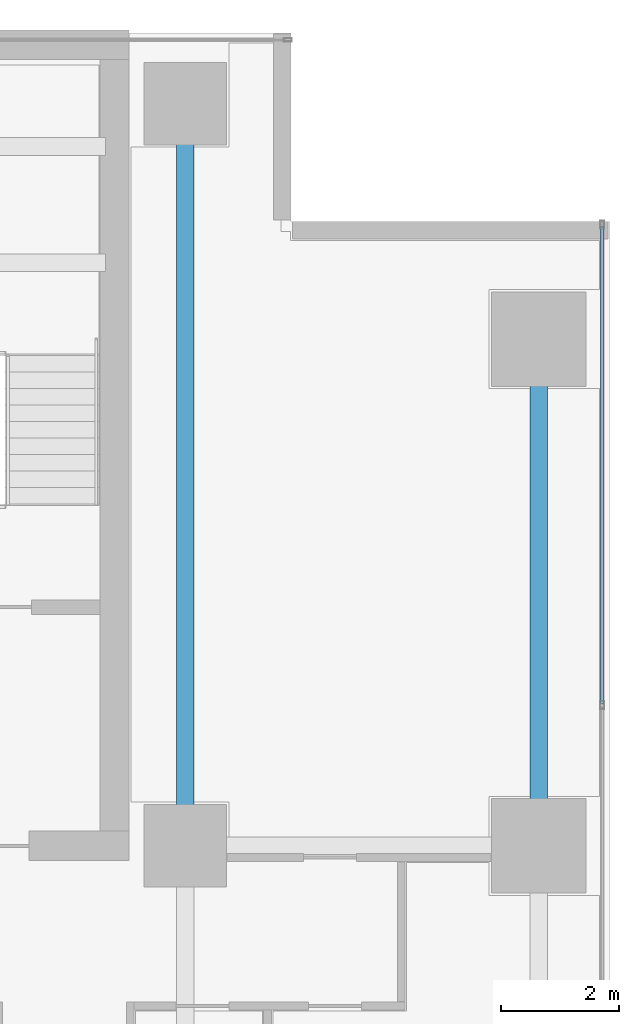
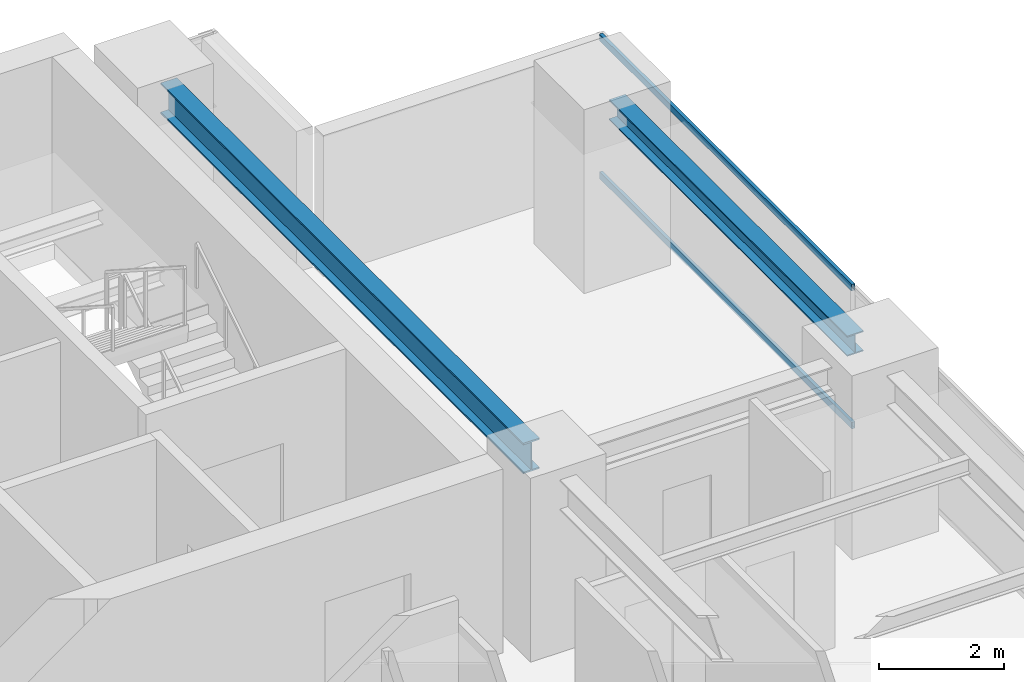
# One storey, part 18 of 30: 2 beams, 2 members, 1 element without a shape of its own.
"""IFC4 building model written with IfcOpenShell, lengths in metres."""

from ifc_helpers import new_model, si_unit, direction, frame, origin, origin_2d, place, context, subcontext, project, spatial, hollow_rectangle, i_section, extrude, source, transform, mapped, material, layer, layer_set, material_profile, profile_set, type_object, element, aggregate, save


model = new_model("IFC4")

# Units and contexts
model_context = context("Model", 3, precision=1e-05, world=origin(), true_north=direction((0.0, 1.0)))
body_context = subcontext(model_context, "Body", "Model", "MODEL_VIEW")
ifc_project = project(units=[si_unit("LENGTHUNIT", "METRE"), si_unit("AREAUNIT", "SQUARE_METRE"), si_unit("VOLUMEUNIT", "CUBIC_METRE"), si_unit("PLANEANGLEUNIT", "RADIAN"), si_unit("MASSUNIT", "GRAM", prefix="KILO")], contexts=[model_context])

# Site, building, storey
site_placement = place(None, origin())
site = spatial("IfcSite", under=ifc_project, at=site_placement, CompositionType="ELEMENT")
building_placement = place(site_placement, origin())
building = spatial("IfcBuilding", under=site, at=building_placement, Name="Sumidabori Civic Tower", CompositionType="ELEMENT")
storey_placement = place(building_placement, frame((0.0, 0.0, 196.39990234375)))
storey = spatial("IfcBuildingStorey", under=building, at=storey_placement, Name="L50", CompositionType="ELEMENT", Elevation=196.39990234375)

# Beams
ifc_material_1 = material(Name="Steel SN490", Category="steel")
ifc_material_profile_1 = material_profile(ifc_material_1, i_section(OverallWidth=0.300048828125, OverallDepth=0.39990234375, WebThickness=0.013427734375, FlangeThickness=0.02392578125, at=origin_2d()), Name="HE 400 B")
ifc_profile_set_1 = profile_set([ifc_material_profile_1], Name="Steel SN490")
beam_type_1 = type_object("IfcBeamType", Name="BM-GIRD-400", PredefinedType="BEAM", material=ifc_profile_set_1)
shared_shape_1 = source(origin(), body_context, "Body", "SweptSolid", [
    extrude(i_section(OverallWidth=0.300048828125, OverallDepth=0.39990234375, WebThickness=0.013427734375, FlangeThickness=0.02392578125, at=origin_2d()), origin(), (0.0, 0.0, 1.0), 7.64013671875),
])
beam_1_placement = place(storey_placement, frame((22.800048828125, 10.679931640625, 3.18017578125), z_axis=(0.0, 1.0, 0.0), x_axis=(-1.0, 0.0, 0.0)))
element("IfcBeam", 1, at=beam_1_placement, inside=storey, type_object=beam_type_1, Name="Primary Girder L50 GY-24", PredefinedType="BEAM", context=body_context, shape_type="MappedRepresentation", body=[
    mapped(shared_shape_1, transform((0.0, 0.0, 0.0), x_axis=(1.0, 0.0, 0.0), y_axis=(0.0, 1.0, 0.0), z_axis=(0.0, 0.0, 1.0), scale=1.0)),
])
ifc_material_profile_2 = material_profile(ifc_material_1, i_section(OverallWidth=0.300048828125, OverallDepth=0.60009765625, WebThickness=0.015380859375, FlangeThickness=0.030029296875, at=origin_2d()), Name="HE 600 B")
ifc_profile_set_2 = profile_set([ifc_material_profile_2], Name="Steel SN490")
beam_type_2 = type_object("IfcBeamType", Name="BM-GIRD-600", PredefinedType="BEAM", material=ifc_profile_set_2)
shared_shape_2 = source(origin(), body_context, "Body", "SweptSolid", [
    extrude(i_section(OverallWidth=0.300048828125, OverallDepth=0.60009765625, WebThickness=0.015380859375, FlangeThickness=0.030029296875, at=origin_2d()), origin(), (0.0, 0.0, 1.0), 11.64013671875),
])
beam_2_placement = place(storey_placement, frame((16.800048828125, 10.679931640625, 3.080078125), z_axis=(0.0, 1.0, 0.0), x_axis=(-1.0, 0.0, 0.0)))
element("IfcBeam", 2, at=beam_2_placement, inside=storey, type_object=beam_type_2, Name="Primary Girder L50 GY-21", PredefinedType="BEAM", context=body_context, shape_type="MappedRepresentation", body=[
    mapped(shared_shape_2, transform((0.0, 0.0, 0.0), x_axis=(1.0, 0.0, 0.0), y_axis=(0.0, 1.0, 0.0), z_axis=(0.0, 0.0, 1.0), scale=1.0)),
])

# Curtain wall, members
ifc_material_2 = material(Name="Anodised Bronze Aluminium AW-6063-T6", Category="aluminium")
ifc_layer = layer(ifc_material_2, 0.179931640625, Name="Anodised Bronze Aluminium AW-6063-T6")
ifc_layer_set = layer_set([ifc_layer], Name="Anodised Bronze Aluminium AW-6063-T6")
curtain_wall_type = type_object("IfcCurtainWallType", Name="CW-SYS-5", PredefinedType="NOTDEFINED", material=ifc_layer_set)
curtain_wall_placement = place(storey_placement, origin())
curtain_wall = element("IfcCurtainWall", 3, at=curtain_wall_placement, inside=storey, type_object=curtain_wall_type, Name="Curtain Wall CW:L50:R10", PredefinedType="NOTDEFINED")
ifc_material_profile_3 = material_profile(ifc_material_2, hollow_rectangle(XDim=0.06005859375, YDim=0.1298828125, WallThickness=0.0048828125, at=origin_2d()), Name="ALU TRANSOM 130x60")
ifc_profile_set_3 = profile_set([ifc_material_profile_3], Name="Anodised Bronze Aluminium AW-6063-T6")
member_type = type_object("IfcMemberType", Name="CW-TRN-130", PredefinedType="USERDEFINED", material=ifc_profile_set_3)
shared_shape_3 = source(origin(), body_context, "Body", "SweptSolid", [
    extrude(hollow_rectangle(XDim=0.06005859375, YDim=0.1298828125, WallThickness=0.0048828125, at=origin_2d()), origin(), (0.0, 0.0, 1.0), 8.094970703125),
])
member_1_placement = place(storey_placement, frame((23.8798828125, 12.614990234375, 0.030029296875), z_axis=(0.0, 1.0, 0.0), x_axis=(-1.0, 0.0, 0.0)))
member_1 = element("IfcMember", 4, at=member_1_placement, type_object=member_type, Name="CW-5 transom 4.1", ObjectType="TRANSOM", PredefinedType="USERDEFINED", context=body_context, shape_type="MappedRepresentation", body=[
    mapped(shared_shape_3, transform((0.0, 0.0, 0.0), x_axis=(1.0, 0.0, 0.0), y_axis=(0.0, 1.0, 0.0), z_axis=(0.0, 0.0, 1.0), scale=1.0)),
])
member_2_placement = place(storey_placement, frame((23.8798828125, 12.614990234375, 2.72998046875), z_axis=(0.0, 1.0, 0.0), x_axis=(-1.0, 0.0, 0.0)))
member_2 = element("IfcMember", 5, at=member_2_placement, type_object=member_type, Name="CW-5 transom 4.2", ObjectType="TRANSOM", PredefinedType="USERDEFINED", context=body_context, shape_type="MappedRepresentation", body=[
    mapped(shared_shape_3, transform((0.0, 0.0, 0.0), x_axis=(1.0, 0.0, 0.0), y_axis=(0.0, 1.0, 0.0), z_axis=(0.0, 0.0, 1.0), scale=1.0)),
])
aggregate(curtain_wall, [member_1, member_2])

save(model, "model.ifc")
